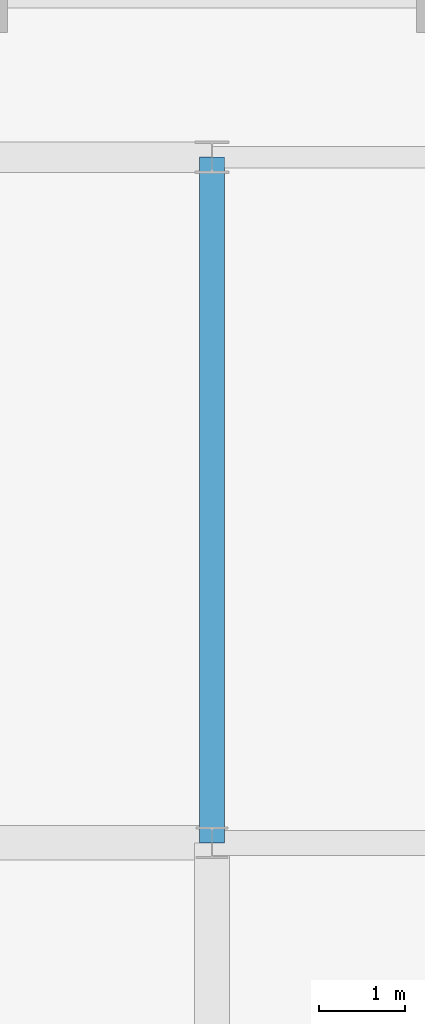
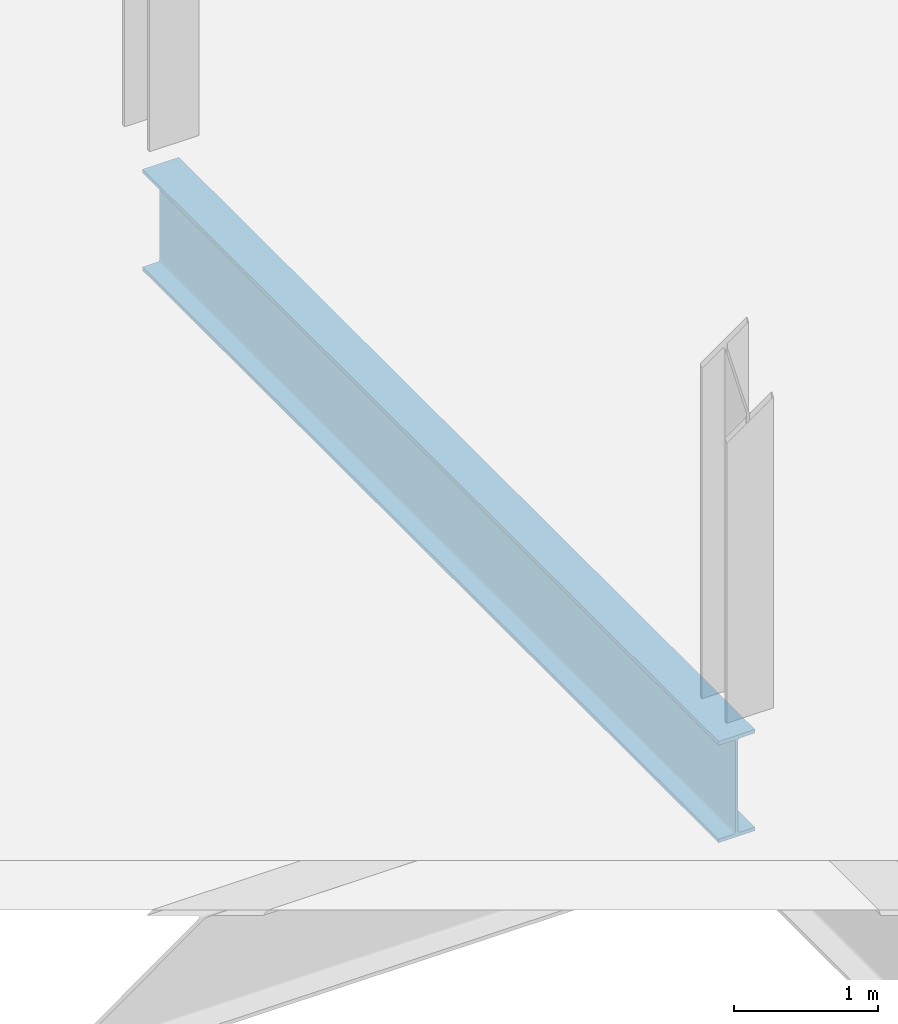
# One storey, part 31 of 189: 1 beam.
"""IFC4 building model written with IfcOpenShell, lengths in metres."""

from ifc_helpers import new_model, si_unit, direction, frame, origin, origin_2d, place, context, subcontext, project, spatial, i_section, extrude, material, material_profile, profile_set, type_object, element, save


model = new_model("IFC4")

# Units and contexts
model_context = context("Model", 3, precision=1e-05, world=origin(), true_north=direction((0.0, 1.0)))
body_context = subcontext(model_context, "Body", "Model", "MODEL_VIEW")
ifc_project = project(units=[si_unit("LENGTHUNIT", "METRE"), si_unit("AREAUNIT", "SQUARE_METRE"), si_unit("VOLUMEUNIT", "CUBIC_METRE"), si_unit("PLANEANGLEUNIT", "RADIAN"), si_unit("MASSUNIT", "GRAM", prefix="KILO"), si_unit("THERMODYNAMICTEMPERATUREUNIT", "KELVIN"), si_unit("POWERUNIT", "WATT")], contexts=[model_context])

# Site, building, storey
site_placement = place(None, origin())
site = spatial("IfcSite", under=ifc_project, at=site_placement, CompositionType="ELEMENT")
building_placement = place(site_placement, origin())
building = spatial("IfcBuilding", under=site, at=building_placement, Name="Zelmaris Science Centre", CompositionType="ELEMENT")
storey_placement = place(building_placement, origin())
storey = spatial("IfcBuildingStorey", under=building, at=storey_placement, Name="L00", CompositionType="ELEMENT", Elevation=0.0)

# Beam
ifc_material = material(Name="Steel ASTM A992 Grade 50", Category="steel")
ifc_material_profile = material_profile(ifc_material, i_section(OverallWidth=0.2919921875, OverallDepth=0.85888671875, WebThickness=0.01708984375, FlangeThickness=0.031005859375, FilletRadius=0.02001953125, at=origin_2d()), Name="W33X169")
ifc_profile_set = profile_set([ifc_material_profile], Name="Steel ASTM A992 Grade 50")
beam_type = type_object("IfcBeamType", Name="Beam G-29 W33X169", PredefinedType="BEAM", material=ifc_profile_set)
beam_placement = place(storey_placement, frame((27.0, 48.0, -0.70947265625), z_axis=(0.0, 1.0, 0.0), x_axis=(-1.0, 0.0, 0.0)))
element("IfcBeam", 1, at=beam_placement, inside=storey, type_object=beam_type, Name="L00 North-south girder 18", PredefinedType="BEAM", context=body_context, shape_type="SweptSolid", body=[
    extrude(i_section(OverallWidth=0.2919921875, OverallDepth=0.85888671875, WebThickness=0.01708984375, FlangeThickness=0.031005859375, FilletRadius=0.02001953125, at=origin_2d()), origin(), (0.0, 0.0, 1.0), 8.0),
])

save(model, "model.ifc")
